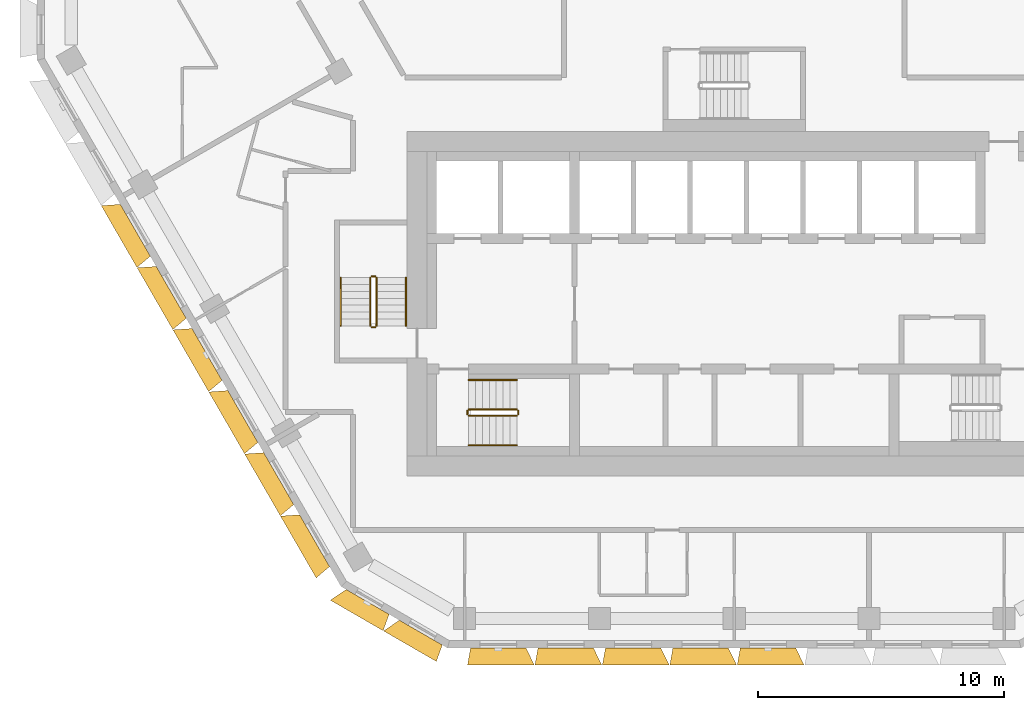
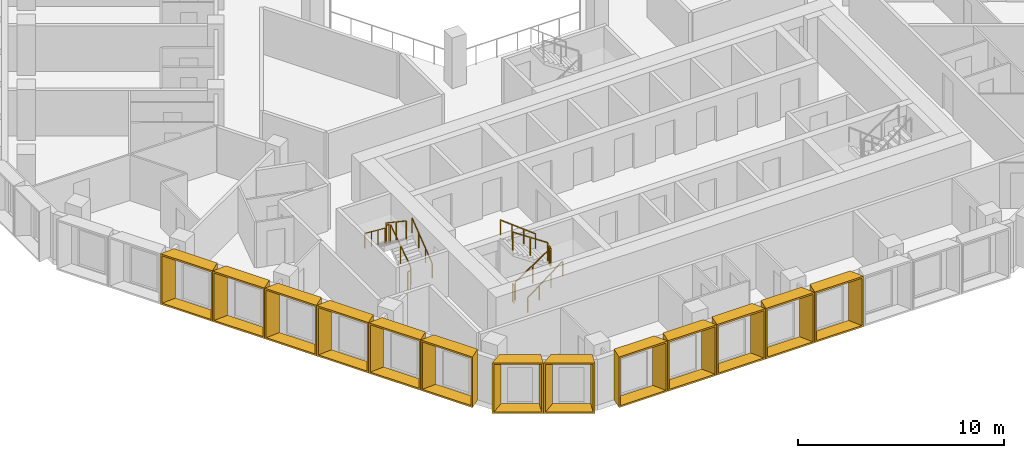
# One storey, part 14 of 17: 13 shading devices, 12 railings.
"""IFC4 building model written with IfcOpenShell, lengths in metres."""

from ifc_helpers import new_model, entity, si_unit, direction, frame, origin, origin_2d, place, context, subcontext, project, spatial, rectangle, extrude, source, transform, mapped, material, type_object, type_shapes, element, save


model = new_model("IFC4")

# Units and contexts
model_context = context("Model", 3, precision=1e-05, world=origin(), true_north=direction((0.0, 1.0)))
body_context = subcontext(model_context, "Body", "Model", "MODEL_VIEW")
ifc_project = project(units=[si_unit("LENGTHUNIT", "METRE"), si_unit("AREAUNIT", "SQUARE_METRE"), si_unit("VOLUMEUNIT", "CUBIC_METRE"), si_unit("PLANEANGLEUNIT", "RADIAN"), si_unit("MASSUNIT", "GRAM", prefix="KILO")], contexts=[model_context])

# Site, building, storey
site_placement = place(None, origin())
site = spatial("IfcSite", under=ifc_project, at=site_placement, CompositionType="ELEMENT")
building_placement = place(site_placement, origin())
building = spatial("IfcBuilding", under=site, at=building_placement, Name="Beryl Residences", CompositionType="ELEMENT")
storey_placement = place(building_placement, frame((0.0, 0.0, 126.60009765625)))
storey = spatial("IfcBuildingStorey", under=building, at=storey_placement, Name="L38", CompositionType="ELEMENT", Elevation=126.60009765625)

# Shading devices
ifc_material_1 = material(Name="Aluminium pale anodised", Category="aluminium")
shading_device_type_1 = type_object("IfcShadingDeviceType", Name="FR250-70B OUTER SKIN frame 700 mm deep, splay 26/10 deg, 2500 x 3000 mm cell", PredefinedType="USERDEFINED", material=ifc_material_1)
cartesian_point_1 = entity("IfcCartesianPoint", [-1.007568359375, 0.0])
cartesian_point_2 = entity("IfcCartesianPoint", [-0.91845703125, 0.10009765625])
cartesian_point_3 = entity("IfcCartesianPoint", [-1.348876953125, 0.0])
cartesian_point_4 = entity("IfcCartesianPoint", [-1.260009765625, 0.10009765625])
shared_shape_1 = source(origin(), body_context, "Body", "SweptSolid", [
    entity("IfcExtrudedAreaSolidTapered", entity("IfcArbitraryProfileDefWithVoids", "AREA", None, entity("IfcPolyline", [cartesian_point_1, entity("IfcCartesianPoint", [1.007568359375, 0.0]), entity("IfcCartesianPoint", [1.007568359375, 3.0]), entity("IfcCartesianPoint", [-1.007568359375, 3.0]), cartesian_point_1]), [entity("IfcPolyline", [cartesian_point_2, entity("IfcCartesianPoint", [0.92626953125, 0.10009765625]), entity("IfcCartesianPoint", [0.92626953125, 2.89990234375]), entity("IfcCartesianPoint", [-0.91845703125, 2.89990234375]), cartesian_point_2])]), entity("IfcAxis2Placement3D", entity("IfcCartesianPoint", [0.0, 0.0, 0.0]), entity("IfcDirection", [0.0, 1.0, 0.0]), entity("IfcDirection", [-1.0, 0.0, 0.0])), entity("IfcDirection", [0.0, 0.0, 1.0]), 0.699951171875, entity("IfcArbitraryProfileDefWithVoids", "AREA", None, entity("IfcPolyline", [cartesian_point_3, entity("IfcCartesianPoint", [1.130859375, 0.0]), entity("IfcCartesianPoint", [1.130859375, 3.0]), entity("IfcCartesianPoint", [-1.348876953125, 3.0]), cartesian_point_3]), [entity("IfcPolyline", [cartesian_point_4, entity("IfcCartesianPoint", [1.0498046875, 0.10009765625]), entity("IfcCartesianPoint", [1.0498046875, 2.89990234375]), entity("IfcCartesianPoint", [-1.260009765625, 2.89990234375]), cartesian_point_4])])),
])
type_shapes(shading_device_type_1, [shared_shape_1])
for number, where, z_axis, x_axis, name in (
    (1, (-14.909912109375, -24.125, 0.0), (0.0, 0.0, 1.0), (-0.866025403784, 0.5, 0.0), "FR250-70B frame L38 SW-S 1"),
    (2, (-12.7451171875, -25.375, 0.0), (0.0, 0.0, 1.0), (-0.866025403784, 0.5, 0.0), "FR250-70B frame L38 SW-S 2"),
):
    element("IfcShadingDevice", number, at=place(storey_placement, frame(where, z_axis=z_axis, x_axis=x_axis)), inside=storey, type_object=shading_device_type_1, Name=name, ObjectType="OUTER SKIN", PredefinedType="USERDEFINED", context=body_context, shape_type="MappedRepresentation", body=[
        mapped(shared_shape_1, transform((0.0, 0.0, 0.0))),
    ])
ifc_material_2 = material(Name="Aluminium pale anodised", Category="aluminium")
shading_device_type_2 = type_object("IfcShadingDeviceType", Name="FR274-70C OUTER SKIN frame 700 mm deep, splay 10/26 deg, 2740 x 3000 mm cell", PredefinedType="USERDEFINED", material=ifc_material_2)
cartesian_point_5 = entity("IfcCartesianPoint", [-1.12744140625, 0.0])
cartesian_point_6 = entity("IfcCartesianPoint", [-1.04638671875, 0.10009765625])
cartesian_point_7 = entity("IfcCartesianPoint", [-1.2509765625, 0.0])
cartesian_point_8 = entity("IfcCartesianPoint", [-1.169677734375, 0.10009765625])
shared_shape_2 = source(origin(), body_context, "Body", "SweptSolid", [
    entity("IfcExtrudedAreaSolidTapered", entity("IfcArbitraryProfileDefWithVoids", "AREA", None, entity("IfcPolyline", [cartesian_point_5, entity("IfcCartesianPoint", [1.12744140625, 0.0]), entity("IfcCartesianPoint", [1.12744140625, 3.0]), entity("IfcCartesianPoint", [-1.12744140625, 3.0]), cartesian_point_5]), [entity("IfcPolyline", [cartesian_point_6, entity("IfcCartesianPoint", [1.03857421875, 0.10009765625]), entity("IfcCartesianPoint", [1.03857421875, 2.89990234375]), entity("IfcCartesianPoint", [-1.04638671875, 2.89990234375]), cartesian_point_6])]), entity("IfcAxis2Placement3D", entity("IfcCartesianPoint", [0.0, 0.0, 0.0]), entity("IfcDirection", [0.0, 1.0, 0.0]), entity("IfcDirection", [-1.0, 0.0, 0.0])), entity("IfcDirection", [0.0, 0.0, 1.0]), 0.699951171875, entity("IfcArbitraryProfileDefWithVoids", "AREA", None, entity("IfcPolyline", [cartesian_point_7, entity("IfcCartesianPoint", [1.468994140625, 0.0]), entity("IfcCartesianPoint", [1.468994140625, 3.0]), entity("IfcCartesianPoint", [-1.2509765625, 3.0]), cartesian_point_7]), [entity("IfcPolyline", [cartesian_point_8, entity("IfcCartesianPoint", [1.3798828125, 0.10009765625]), entity("IfcCartesianPoint", [1.3798828125, 2.89990234375]), entity("IfcCartesianPoint", [-1.169677734375, 2.89990234375]), cartesian_point_8])])),
])
type_shapes(shading_device_type_2, [shared_shape_2])
for number, where, z_axis, x_axis, name in (
    (3, (-9.597900390625, -26.0, 0.0), (0.0, 0.0, 1.0), (-1.0, 0.0, 0.0), "FR274-70C frame L38 S 1"),
    (4, (-6.85498046875, -26.0, 0.0), (0.0, 0.0, 1.0), (-1.0, 0.0, 0.0), "FR274-70C frame L38 S 2"),
    (5, (-4.113037109375, -26.0, 0.0), (0.0, 0.0, 1.0), (-1.0, 0.0, 0.0), "FR274-70C frame L38 S 3"),
    (6, (-1.3701171875, -26.0, 0.0), (0.0, 0.0, 1.0), (-1.0, 0.0, 0.0), "FR274-70C frame L38 S 4"),
    (7, (1.3720703125, -26.0, 0.0), (0.0, 0.0, 1.0), (-1.0, 0.0, 0.0), "FR274-70C frame L38 S 5"),
):
    element("IfcShadingDevice", number, at=place(storey_placement, frame(where, z_axis=z_axis, x_axis=x_axis)), inside=storey, type_object=shading_device_type_2, Name=name, ObjectType="OUTER SKIN", PredefinedType="USERDEFINED", context=body_context, shape_type="MappedRepresentation", body=[
        mapped(shared_shape_2, transform((0.0, 0.0, 0.0))),
    ])
ifc_material_3 = material(Name="Aluminium pale anodised", Category="aluminium")
shading_device_type_3 = type_object("IfcShadingDeviceType", Name="FR292-70B OUTER SKIN frame 700 mm deep, splay 26/10 deg, 2920 x 3000 mm cell", PredefinedType="USERDEFINED", material=ifc_material_3)
cartesian_point_9 = entity("IfcCartesianPoint", [-1.217529296875, 0.0])
cartesian_point_10 = entity("IfcCartesianPoint", [-1.12841796875, 0.10009765625])
cartesian_point_11 = entity("IfcCartesianPoint", [-1.558837890625, 0.0])
cartesian_point_12 = entity("IfcCartesianPoint", [-1.469970703125, 0.10009765625])
shared_shape_3 = source(origin(), body_context, "Body", "SweptSolid", [
    entity("IfcExtrudedAreaSolidTapered", entity("IfcArbitraryProfileDefWithVoids", "AREA", None, entity("IfcPolyline", [cartesian_point_9, entity("IfcCartesianPoint", [1.217529296875, 0.0]), entity("IfcCartesianPoint", [1.217529296875, 3.0]), entity("IfcCartesianPoint", [-1.217529296875, 3.0]), cartesian_point_9]), [entity("IfcPolyline", [cartesian_point_10, entity("IfcCartesianPoint", [1.13623046875, 0.10009765625]), entity("IfcCartesianPoint", [1.13623046875, 2.89990234375]), entity("IfcCartesianPoint", [-1.12841796875, 2.89990234375]), cartesian_point_10])]), entity("IfcAxis2Placement3D", entity("IfcCartesianPoint", [0.0, 0.0, 0.0]), entity("IfcDirection", [0.0, 1.0, 0.0]), entity("IfcDirection", [-1.0, 0.0, 0.0])), entity("IfcDirection", [0.0, 0.0, 1.0]), 0.699951171875, entity("IfcArbitraryProfileDefWithVoids", "AREA", None, entity("IfcPolyline", [cartesian_point_11, entity("IfcCartesianPoint", [1.3408203125, 0.0]), entity("IfcCartesianPoint", [1.3408203125, 3.0]), entity("IfcCartesianPoint", [-1.558837890625, 3.0]), cartesian_point_11]), [entity("IfcPolyline", [cartesian_point_12, entity("IfcCartesianPoint", [1.259765625, 0.10009765625]), entity("IfcCartesianPoint", [1.259765625, 2.89990234375]), entity("IfcCartesianPoint", [-1.469970703125, 2.89990234375]), cartesian_point_12])])),
])
type_shapes(shading_device_type_3, [shared_shape_3])
for number, where, z_axis, x_axis, name in (
    (8, (-24.35693359375, -9.011962890625, 0.0), (0.0, 0.0, 1.0), (-0.5, 0.866025403784, 0.0), "FR292-70B frame L38 SW 3"),
    (9, (-22.89892578125, -11.537109375, 0.0), (0.0, 0.0, 1.0), (-0.5, 0.866025403784, 0.0), "FR292-70B frame L38 SW 4"),
    (10, (-21.44189453125, -14.06201171875, 0.0), (0.0, 0.0, 1.0), (-0.5, 0.866025403784, 0.0), "FR292-70B frame L38 SW 5"),
    (11, (-19.98388671875, -16.5859375, 0.0), (0.0, 0.0, 1.0), (-0.5, 0.866025403784, 0.0), "FR292-70B frame L38 SW 6"),
    (12, (-18.52587890625, -19.111083984375, 0.0), (0.0, 0.0, 1.0), (-0.5, 0.866025403784, 0.0), "FR292-70B frame L38 SW 7"),
    (13, (-17.068115234375, -21.635986328125, 0.0), (0.0, 0.0, 1.0), (-0.5, 0.866025403784, 0.0), "FR292-70B frame L38 SW 8"),
):
    element("IfcShadingDevice", number, at=place(storey_placement, frame(where, z_axis=z_axis, x_axis=x_axis)), inside=storey, type_object=shading_device_type_3, Name=name, ObjectType="OUTER SKIN", PredefinedType="USERDEFINED", context=body_context, shape_type="MappedRepresentation", body=[
        mapped(shared_shape_3, transform((0.0, 0.0, 0.0))),
    ])

# Railings
ifc_material_4 = material(Name="Stainless steel balustrade with glass infill", Category="steel")
railing_type_1 = type_object("IfcRailingType", Name="SG1 stair guard 1100 mm", PredefinedType="GUARDRAIL", material=ifc_material_4)
railing_1_placement = place(storey_placement, frame((-10.800048828125, -16.550048828125, 0.1875)))
element("IfcRailing", 14, at=railing_1_placement, inside=storey, type_object=railing_type_1, Name="L38 ST-1 stair guard 1", PredefinedType="GUARDRAIL", context=body_context, shape_type="SweptSolid", body=[
    extrude(rectangle(XDim=0.048095703125, YDim=0.048095703125, at=origin_2d()), frame((0.0, 0.0, 1.076171875), z_axis=(0.830902050051, 0.0, 0.556418712142), x_axis=(0.0, 1.0, 0.0)), (0.0, 0.0, 1.0), 2.35888671875),
    extrude(rectangle(XDim=0.0419921875, YDim=0.0419921875, at=origin_2d()), origin(), (0.0, 0.0, 1.0), 1.052001953125),
    extrude(rectangle(XDim=0.0419921875, YDim=0.0419921875, at=origin_2d()), frame((0.97998046875, 0.0, 0.65625)), (0.0, 0.0, 1.0), 1.052001953125),
    extrude(rectangle(XDim=0.0419921875, YDim=0.0419921875, at=origin_2d()), frame((1.9599609375, 0.0, 1.3125)), (0.0, 0.0, 1.0), 1.052001953125),
])
railing_2_placement = place(storey_placement, frame((-8.7900390625, -16.5, 1.5)))
element("IfcRailing", 15, at=railing_2_placement, inside=storey, type_object=railing_type_1, Name="L38 ST-1 stair guard 2", PredefinedType="GUARDRAIL", context=body_context, shape_type="SweptSolid", body=[
    extrude(rectangle(XDim=0.048095703125, YDim=0.048095703125, at=origin_2d()), frame((0.0, 0.0, 1.076171875), z_axis=(0.0, 1.0, 0.0), x_axis=(-1.0, 0.0, 0.0)), (0.0, 0.0, 1.0), 0.14990234375),
    extrude(rectangle(XDim=0.0419921875, YDim=0.0419921875, at=origin_2d()), origin(), (0.0, 0.0, 1.0), 1.052001953125),
    extrude(rectangle(XDim=0.0419921875, YDim=0.0419921875, at=origin_2d()), frame((0.0, 0.14990234375, 0.0)), (0.0, 0.0, 1.0), 1.052001953125),
])
railing_3_placement = place(storey_placement, frame((-8.840087890625, -16.300048828125, 1.6875)))
element("IfcRailing", 16, at=railing_3_placement, inside=storey, type_object=railing_type_1, Name="L38 ST-1 stair guard 3", PredefinedType="GUARDRAIL", context=body_context, shape_type="SweptSolid", body=[
    extrude(rectangle(XDim=0.048095703125, YDim=0.048095703125, at=origin_2d()), frame((0.0, 0.0, 1.076171875), z_axis=(-0.830902050051, 0.0, 0.556418712142), x_axis=(0.0, -1.0, 0.0)), (0.0, 0.0, 1.0), 2.35888671875),
    extrude(rectangle(XDim=0.0419921875, YDim=0.0419921875, at=origin_2d()), origin(), (0.0, 0.0, 1.0), 1.052001953125),
    extrude(rectangle(XDim=0.0419921875, YDim=0.0419921875, at=origin_2d()), frame((-0.97998046875, 0.0, 0.65625)), (0.0, 0.0, 1.0), 1.052001953125),
    extrude(rectangle(XDim=0.0419921875, YDim=0.0419921875, at=origin_2d()), frame((-1.9599609375, 0.0, 1.3125)), (0.0, 0.0, 1.0), 1.052001953125),
])
railing_4_placement = place(storey_placement, frame((-10.85009765625, -16.5, 0.0)))
element("IfcRailing", 17, at=railing_4_placement, inside=storey, type_object=railing_type_1, Name="L38 ST-1 stair guard 4", PredefinedType="GUARDRAIL", context=body_context, shape_type="SweptSolid", body=[
    extrude(rectangle(XDim=0.048095703125, YDim=0.048095703125, at=origin_2d()), frame((0.0, 0.0, 1.076171875), z_axis=(0.0, 1.0, 0.0), x_axis=(-1.0, 0.0, 0.0)), (0.0, 0.0, 1.0), 0.14990234375),
    extrude(rectangle(XDim=0.0419921875, YDim=0.0419921875, at=origin_2d()), origin(), (0.0, 0.0, 1.0), 1.052001953125),
    extrude(rectangle(XDim=0.0419921875, YDim=0.0419921875, at=origin_2d()), frame((0.0, 0.14990234375, 0.0)), (0.0, 0.0, 1.0), 1.052001953125),
])
railing_5_placement = place(storey_placement, frame((-14.550048828125, -12.89990234375, 0.1875)))
element("IfcRailing", 18, at=railing_5_placement, inside=storey, type_object=railing_type_1, Name="L38 ST-2 stair guard 1", PredefinedType="GUARDRAIL", context=body_context, shape_type="SweptSolid", body=[
    extrude(rectangle(XDim=0.048095703125, YDim=0.048095703125, at=origin_2d()), frame((0.0, 0.0, 1.076171875), z_axis=(0.0, 0.830902050051, 0.556418712142), x_axis=(-1.0, 0.0, 0.0)), (0.0, 0.0, 1.0), 2.35888671875),
    extrude(rectangle(XDim=0.0419921875, YDim=0.0419921875, at=origin_2d()), origin(), (0.0, 0.0, 1.0), 1.052001953125),
    extrude(rectangle(XDim=0.0419921875, YDim=0.0419921875, at=origin_2d()), frame((0.0, 0.97998046875, 0.65625)), (0.0, 0.0, 1.0), 1.052001953125),
    extrude(rectangle(XDim=0.0419921875, YDim=0.0419921875, at=origin_2d()), frame((0.0, 1.9599609375, 1.3125)), (0.0, 0.0, 1.0), 1.052001953125),
])
railing_6_placement = place(storey_placement, frame((-14.60009765625, -10.889892578125, 1.5)))
element("IfcRailing", 19, at=railing_6_placement, inside=storey, type_object=railing_type_1, Name="L38 ST-2 stair guard 2", PredefinedType="GUARDRAIL", context=body_context, shape_type="SweptSolid", body=[
    extrude(rectangle(XDim=0.048095703125, YDim=0.048095703125, at=origin_2d()), frame((0.0, 0.0, 1.076171875), z_axis=(-1.0, 0.0, 0.0), x_axis=(0.0, -1.0, 0.0)), (0.0, 0.0, 1.0), 0.14990234375),
    extrude(rectangle(XDim=0.0419921875, YDim=0.0419921875, at=origin_2d()), origin(), (0.0, 0.0, 1.0), 1.052001953125),
    extrude(rectangle(XDim=0.0419921875, YDim=0.0419921875, at=origin_2d()), frame((-0.14990234375, 0.0, 0.0)), (0.0, 0.0, 1.0), 1.052001953125),
])
railing_7_placement = place(storey_placement, frame((-14.800048828125, -10.93994140625, 1.6875)))
element("IfcRailing", 20, at=railing_7_placement, inside=storey, type_object=railing_type_1, Name="L38 ST-2 stair guard 3", PredefinedType="GUARDRAIL", context=body_context, shape_type="SweptSolid", body=[
    extrude(rectangle(XDim=0.048095703125, YDim=0.048095703125, at=origin_2d()), frame((0.0, 0.0, 1.076171875), z_axis=(0.0, -0.830902050051, 0.556418712142), x_axis=(1.0, 0.0, 0.0)), (0.0, 0.0, 1.0), 2.35888671875),
    extrude(rectangle(XDim=0.0419921875, YDim=0.0419921875, at=origin_2d()), origin(), (0.0, 0.0, 1.0), 1.052001953125),
    extrude(rectangle(XDim=0.0419921875, YDim=0.0419921875, at=origin_2d()), frame((0.0, -0.97998046875, 0.65625)), (0.0, 0.0, 1.0), 1.052001953125),
    extrude(rectangle(XDim=0.0419921875, YDim=0.0419921875, at=origin_2d()), frame((0.0, -1.9599609375, 1.3125)), (0.0, 0.0, 1.0), 1.052001953125),
])
railing_8_placement = place(storey_placement, frame((-14.60009765625, -12.949951171875, 0.0)))
element("IfcRailing", 21, at=railing_8_placement, inside=storey, type_object=railing_type_1, Name="L38 ST-2 stair guard 4", PredefinedType="GUARDRAIL", context=body_context, shape_type="SweptSolid", body=[
    extrude(rectangle(XDim=0.048095703125, YDim=0.048095703125, at=origin_2d()), frame((0.0, 0.0, 1.076171875), z_axis=(-1.0, 0.0, 0.0), x_axis=(0.0, -1.0, 0.0)), (0.0, 0.0, 1.0), 0.14990234375),
    extrude(rectangle(XDim=0.0419921875, YDim=0.0419921875, at=origin_2d()), origin(), (0.0, 0.0, 1.0), 1.052001953125),
    extrude(rectangle(XDim=0.0419921875, YDim=0.0419921875, at=origin_2d()), frame((-0.14990234375, 0.0, 0.0)), (0.0, 0.0, 1.0), 1.052001953125),
])
ifc_material_5 = material(Name="Stainless steel handrail", Category="steel")
railing_type_2 = type_object("IfcRailingType", Name="SRL1 stair handrail 900 mm", PredefinedType="HANDRAIL", material=ifc_material_5)
railing_9_placement = place(storey_placement, frame((-10.800048828125, -17.75, 0.1875)))
element("IfcRailing", 22, at=railing_9_placement, inside=storey, type_object=railing_type_2, Name="L38 ST-1 stair handrail 1", PredefinedType="HANDRAIL", context=body_context, shape_type="SweptSolid", body=[
    extrude(rectangle(XDim=0.048095703125, YDim=0.048095703125, at=origin_2d()), frame((0.0, 0.0, 0.8759765625), z_axis=(0.794121922505, 0.0, 0.607758481798), x_axis=(0.0, 1.0, 0.0)), (0.0, 0.0, 1.0), 2.468017578125),
    extrude(rectangle(XDim=0.0419921875, YDim=0.0419921875, at=origin_2d()), origin(), (0.0, 0.0, 1.0), 0.851806640625),
    extrude(rectangle(XDim=0.0419921875, YDim=0.0419921875, at=origin_2d()), frame((0.6533203125, 0.0, 0.5)), (0.0, 0.0, 1.0), 0.851806640625),
    extrude(rectangle(XDim=0.0419921875, YDim=0.0419921875, at=origin_2d()), frame((1.306640625, 0.0, 1.0)), (0.0, 0.0, 1.0), 0.851806640625),
    extrude(rectangle(XDim=0.0419921875, YDim=0.0419921875, at=origin_2d()), frame((1.9599609375, 0.0, 1.5)), (0.0, 0.0, 1.0), 0.851806640625),
])
railing_10_placement = place(storey_placement, frame((-8.840087890625, -15.10009765625, 1.6875)))
element("IfcRailing", 23, at=railing_10_placement, inside=storey, type_object=railing_type_2, Name="L38 ST-1 stair handrail 2", PredefinedType="HANDRAIL", context=body_context, shape_type="SweptSolid", body=[
    extrude(rectangle(XDim=0.048095703125, YDim=0.048095703125, at=origin_2d()), frame((0.0, 0.0, 0.8759765625), z_axis=(-0.794121922505, 0.0, 0.607758481798), x_axis=(0.0, -1.0, 0.0)), (0.0, 0.0, 1.0), 2.468017578125),
    extrude(rectangle(XDim=0.0419921875, YDim=0.0419921875, at=origin_2d()), origin(), (0.0, 0.0, 1.0), 0.851806640625),
    extrude(rectangle(XDim=0.0419921875, YDim=0.0419921875, at=origin_2d()), frame((-0.6533203125, 0.0, 0.5)), (0.0, 0.0, 1.0), 0.851806640625),
    extrude(rectangle(XDim=0.0419921875, YDim=0.0419921875, at=origin_2d()), frame((-1.306640625, 0.0, 1.0)), (0.0, 0.0, 1.0), 0.851806640625),
    extrude(rectangle(XDim=0.0419921875, YDim=0.0419921875, at=origin_2d()), frame((-1.9599609375, 0.0, 1.5)), (0.0, 0.0, 1.0), 0.851806640625),
])
railing_11_placement = place(storey_placement, frame((-13.35009765625, -12.89990234375, 0.1875)))
element("IfcRailing", 24, at=railing_11_placement, inside=storey, type_object=railing_type_2, Name="L38 ST-2 stair handrail 1", PredefinedType="HANDRAIL", context=body_context, shape_type="SweptSolid", body=[
    extrude(rectangle(XDim=0.048095703125, YDim=0.048095703125, at=origin_2d()), frame((0.0, 0.0, 0.8759765625), z_axis=(0.0, 0.794121922505, 0.607758481798), x_axis=(-1.0, 0.0, 0.0)), (0.0, 0.0, 1.0), 2.468017578125),
    extrude(rectangle(XDim=0.0419921875, YDim=0.0419921875, at=origin_2d()), origin(), (0.0, 0.0, 1.0), 0.851806640625),
    extrude(rectangle(XDim=0.0419921875, YDim=0.0419921875, at=origin_2d()), frame((0.0, 0.6533203125, 0.5)), (0.0, 0.0, 1.0), 0.851806640625),
    extrude(rectangle(XDim=0.0419921875, YDim=0.0419921875, at=origin_2d()), frame((0.0, 1.306640625, 1.0)), (0.0, 0.0, 1.0), 0.851806640625),
    extrude(rectangle(XDim=0.0419921875, YDim=0.0419921875, at=origin_2d()), frame((0.0, 1.9599609375, 1.5)), (0.0, 0.0, 1.0), 0.851806640625),
])
railing_12_placement = place(storey_placement, frame((-16.0, -10.93994140625, 1.6875)))
element("IfcRailing", 25, at=railing_12_placement, inside=storey, type_object=railing_type_2, Name="L38 ST-2 stair handrail 2", PredefinedType="HANDRAIL", context=body_context, shape_type="SweptSolid", body=[
    extrude(rectangle(XDim=0.048095703125, YDim=0.048095703125, at=origin_2d()), frame((0.0, 0.0, 0.8759765625), z_axis=(0.0, -0.794121922505, 0.607758481798), x_axis=(1.0, 0.0, 0.0)), (0.0, 0.0, 1.0), 2.468017578125),
    extrude(rectangle(XDim=0.0419921875, YDim=0.0419921875, at=origin_2d()), origin(), (0.0, 0.0, 1.0), 0.851806640625),
    extrude(rectangle(XDim=0.0419921875, YDim=0.0419921875, at=origin_2d()), frame((0.0, -0.6533203125, 0.5)), (0.0, 0.0, 1.0), 0.851806640625),
    extrude(rectangle(XDim=0.0419921875, YDim=0.0419921875, at=origin_2d()), frame((0.0, -1.306640625, 1.0)), (0.0, 0.0, 1.0), 0.851806640625),
    extrude(rectangle(XDim=0.0419921875, YDim=0.0419921875, at=origin_2d()), frame((0.0, -1.9599609375, 1.5)), (0.0, 0.0, 1.0), 0.851806640625),
])

save(model, "model.ifc")
